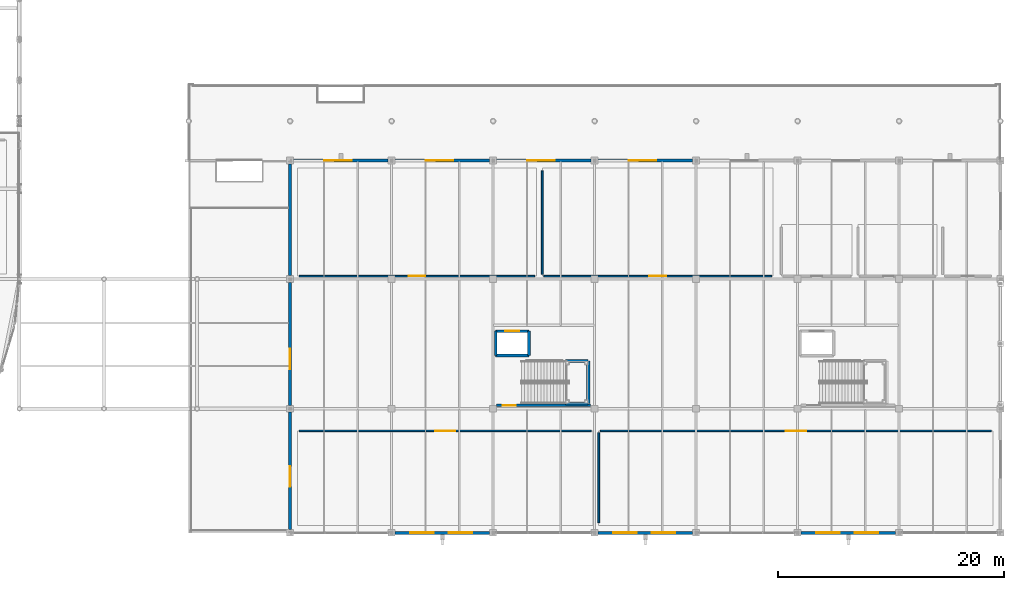
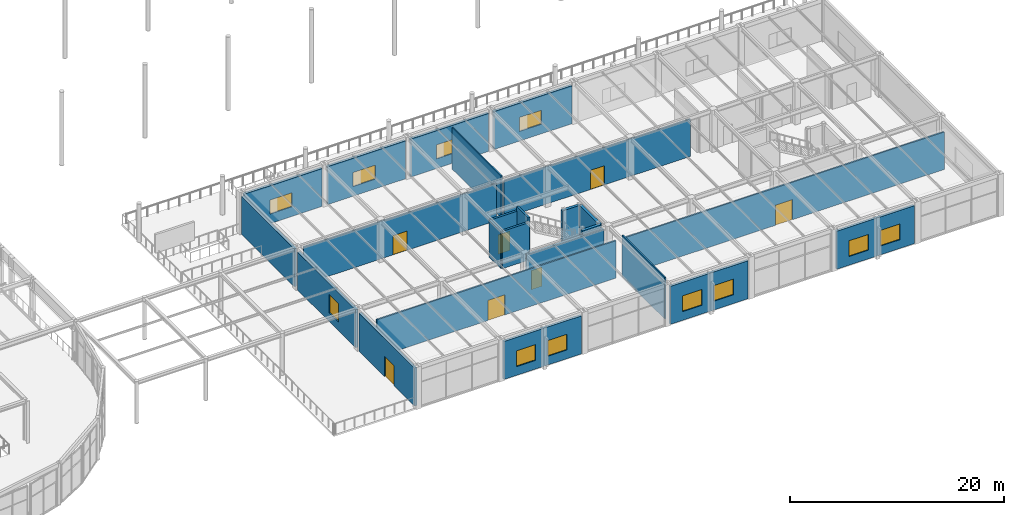
# One storey, part 87 of 143: 24 walls, 11 windows, 7 doors, 18 openings.
"""IFC4 building model written with IfcOpenShell, lengths in metres."""

from ifc_helpers import new_model, si_unit, direction, frame, frame_2d, origin, place, context, subcontext, project, spatial, rectangle, extrude, material, layer, layer_set, type_object, element, fill, save


model = new_model("IFC4")

# Units and contexts
model_context = context("Model", 3, precision=1e-05, world=origin(), true_north=direction((0.0, 1.0)))
body_context = subcontext(model_context, "Body", "Model", "MODEL_VIEW")
ifc_project = project(units=[si_unit("LENGTHUNIT", "METRE"), si_unit("AREAUNIT", "SQUARE_METRE"), si_unit("VOLUMEUNIT", "CUBIC_METRE"), si_unit("PLANEANGLEUNIT", "RADIAN"), si_unit("MASSUNIT", "GRAM", prefix="KILO")], contexts=[model_context])

# Site, building, storey
site_placement = place(None, origin())
site = spatial("IfcSite", under=ifc_project, at=site_placement, CompositionType="ELEMENT")
building_placement = place(site_placement, origin())
building = spatial("IfcBuilding", under=site, at=building_placement, Name="Marlcrest Central Station", CompositionType="ELEMENT")
storey_placement = place(building_placement, frame((0.0, 0.0, 4.800048828125)))
storey = spatial("IfcBuildingStorey", under=building, at=storey_placement, Name="L01", CompositionType="ELEMENT", Elevation=4.800048828125)

# Wall, opening, window
ifc_material_1 = material(Name="Precast concrete C40/50", Category="concrete")
ifc_layer_1 = layer(ifc_material_1, 0.260009765625, Name="EW-03")
ifc_layer_set_1 = layer_set([ifc_layer_1], Name="Precast concrete C40/50")
wall_type_1 = type_object("IfcWallType", Name="EW-03", PredefinedType="SOLIDWALL", material=ifc_layer_set_1)
wall_1_placement = place(storey_placement, frame((153.300048828125, 33.0, 0.0), z_axis=(0.0, 0.0, 1.0), x_axis=(1.0, 0.0, 0.0)))
wall_1 = element("IfcWall", 1, at=wall_1_placement, inside=storey, type_object=wall_type_1, Name="ewall-L01-0059", PredefinedType="SOLIDWALL", context=body_context, shape_type="SweptSolid", body=[
    extrude(rectangle(XDim=8.39990234375, YDim=0.260009765625, at=frame_2d((4.199951171875, 0.0))), origin(), (0.0, 0.0, 1.0), 4.349853515625),
])
opening_1_placement = place(wall_1_placement, frame((2.75, 0.0, 1.10009765625)))
opening_1 = element("IfcOpeningElement", 2, at=opening_1_placement, cuts=wall_1, Name="Opening WN-02", PredefinedType="OPENING", context=body_context, shape_type="SweptSolid", body=[
    extrude(rectangle(XDim=2.39990234375, YDim=1.60009765625, at=frame_2d((1.199951171875, 0.800048828125))), frame((0.0, 0.139892578125, 0.0), z_axis=(0.0, -1.0, 0.0), x_axis=(1.0, 0.0, 0.0)), (0.0, 0.0, 1.0), 0.280029296875),
])
ifc_material_2 = material(Name="Thermally broken bronze-anodised aluminium and laminated low-E glass", Category="aluminium")
window_type_1 = type_object("IfcWindowType", Name="WN-02", PartitioningType="SINGLE_PANEL", PredefinedType="WINDOW", material=ifc_material_2)
window_1_placement = place(opening_1_placement, origin())
window_1 = element("IfcWindow", 3, at=window_1_placement, inside=storey, type_object=window_type_1, Name="ewin-L01-0022", OverallHeight=1.60009765625, OverallWidth=2.39990234375, PartitioningType="SINGLE_PANEL", PredefinedType="WINDOW", context=body_context, shape_type="SweptSolid", body=[
    extrude(rectangle(XDim=2.39990234375, YDim=1.60009765625, at=frame_2d((1.199951171875, 0.800048828125))), frame((0.0, 0.030029296875, 0.0), z_axis=(0.0, -1.0, 0.0), x_axis=(1.0, 0.0, 0.0)), (0.0, 0.0, 1.0), 0.06005859375),
])
fill(opening_1, window_1)

# Wall, openings, windows
wall_2_placement = place(storey_placement, frame((170.699951171875, 0.0, 0.0), z_axis=(0.0, 0.0, 1.0), x_axis=(-1.0, 0.0, 0.0)))
wall_2 = element("IfcWall", 4, at=wall_2_placement, inside=storey, type_object=wall_type_1, Name="ewall-L01-0060", PredefinedType="SOLIDWALL", context=body_context, shape_type="SweptSolid", body=[
    extrude(rectangle(XDim=8.39990234375, YDim=0.260009765625, at=frame_2d((4.199951171875, 0.0))), origin(), (0.0, 0.0, 1.0), 4.349853515625),
])
opening_2_placement = place(wall_2_placement, frame((1.550048828125, 0.0, 1.0)))
opening_2 = element("IfcOpeningElement", 5, at=opening_2_placement, cuts=wall_2, Name="Opening WN-05", PredefinedType="OPENING", context=body_context, shape_type="SweptSolid", body=[
    extrude(rectangle(XDim=2.10009765625, YDim=1.800048828125, at=frame_2d((1.050048828125, 0.89990234375))), frame((0.0, 0.139892578125, 0.0), z_axis=(0.0, -1.0, 0.0), x_axis=(1.0, 0.0, 0.0)), (0.0, 0.0, 1.0), 0.280029296875),
])
opening_3_placement = place(wall_2_placement, frame((4.949951171875, 0.0, 1.0)))
opening_3 = element("IfcOpeningElement", 6, at=opening_3_placement, cuts=wall_2, Name="Opening WN-05", PredefinedType="OPENING", context=body_context, shape_type="SweptSolid", body=[
    extrude(rectangle(XDim=2.10009765625, YDim=1.800048828125, at=frame_2d((1.050048828125, 0.89990234375))), frame((0.0, 0.139892578125, 0.0), z_axis=(0.0, -1.0, 0.0), x_axis=(1.0, 0.0, 0.0)), (0.0, 0.0, 1.0), 0.280029296875),
])
window_type_2 = type_object("IfcWindowType", Name="WN-05", PartitioningType="SINGLE_PANEL", PredefinedType="WINDOW", material=ifc_material_2)
window_2_placement = place(opening_2_placement, origin())
window_2 = element("IfcWindow", 7, at=window_2_placement, inside=storey, type_object=window_type_2, Name="ewin-L01-0023", OverallHeight=1.800048828125, OverallWidth=2.10009765625, PartitioningType="SINGLE_PANEL", PredefinedType="WINDOW", context=body_context, shape_type="SweptSolid", body=[
    extrude(rectangle(XDim=2.10009765625, YDim=1.800048828125, at=frame_2d((1.050048828125, 0.89990234375))), frame((0.0, 0.030029296875, 0.0), z_axis=(0.0, -1.0, 0.0), x_axis=(1.0, 0.0, 0.0)), (0.0, 0.0, 1.0), 0.06005859375),
])
fill(opening_2, window_2)
window_3_placement = place(opening_3_placement, origin())
window_3 = element("IfcWindow", 8, at=window_3_placement, inside=storey, type_object=window_type_2, Name="ewin-L01-0024", OverallHeight=1.800048828125, OverallWidth=2.10009765625, PartitioningType="SINGLE_PANEL", PredefinedType="WINDOW", context=body_context, shape_type="SweptSolid", body=[
    extrude(rectangle(XDim=2.10009765625, YDim=1.800048828125, at=frame_2d((1.050048828125, 0.89990234375))), frame((0.0, 0.030029296875, 0.0), z_axis=(0.0, -1.0, 0.0), x_axis=(1.0, 0.0, 0.0)), (0.0, 0.0, 1.0), 0.06005859375),
])
fill(opening_3, window_3)

# Wall, opening, window
wall_3_placement = place(storey_placement, frame((162.300048828125, 33.0, 0.0), z_axis=(0.0, 0.0, 1.0), x_axis=(1.0, 0.0, 0.0)))
wall_3 = element("IfcWall", 9, at=wall_3_placement, inside=storey, type_object=wall_type_1, Name="ewall-L01-0061", PredefinedType="SOLIDWALL", context=body_context, shape_type="SweptSolid", body=[
    extrude(rectangle(XDim=8.39990234375, YDim=0.260009765625, at=frame_2d((4.199951171875, 0.0))), origin(), (0.0, 0.0, 1.0), 4.349853515625),
])
opening_4_placement = place(wall_3_placement, frame((2.75, 0.0, 1.10009765625)))
opening_4 = element("IfcOpeningElement", 10, at=opening_4_placement, cuts=wall_3, Name="Opening WN-02", PredefinedType="OPENING", context=body_context, shape_type="SweptSolid", body=[
    extrude(rectangle(XDim=2.39990234375, YDim=1.60009765625, at=frame_2d((1.199951171875, 0.800048828125))), frame((0.0, 0.139892578125, 0.0), z_axis=(0.0, -1.0, 0.0), x_axis=(1.0, 0.0, 0.0)), (0.0, 0.0, 1.0), 0.280029296875),
])
window_4_placement = place(opening_4_placement, origin())
window_4 = element("IfcWindow", 11, at=window_4_placement, inside=storey, type_object=window_type_1, Name="ewin-L01-0025", OverallHeight=1.60009765625, OverallWidth=2.39990234375, PartitioningType="SINGLE_PANEL", PredefinedType="WINDOW", context=body_context, shape_type="SweptSolid", body=[
    extrude(rectangle(XDim=2.39990234375, YDim=1.60009765625, at=frame_2d((1.199951171875, 0.800048828125))), frame((0.0, 0.030029296875, 0.0), z_axis=(0.0, -1.0, 0.0), x_axis=(1.0, 0.0, 0.0)), (0.0, 0.0, 1.0), 0.06005859375),
])
fill(opening_4, window_4)

wall_4_placement = place(storey_placement, frame((171.300048828125, 33.0, 0.0), z_axis=(0.0, 0.0, 1.0), x_axis=(1.0, 0.0, 0.0)))
wall_4 = element("IfcWall", 12, at=wall_4_placement, inside=storey, type_object=wall_type_1, Name="ewall-L01-0062", PredefinedType="SOLIDWALL", context=body_context, shape_type="SweptSolid", body=[
    extrude(rectangle(XDim=8.39990234375, YDim=0.260009765625, at=frame_2d((4.199951171875, 0.0))), origin(), (0.0, 0.0, 1.0), 4.349853515625),
])
opening_5_placement = place(wall_4_placement, frame((2.75, 0.0, 1.10009765625)))
opening_5 = element("IfcOpeningElement", 13, at=opening_5_placement, cuts=wall_4, Name="Opening WN-02", PredefinedType="OPENING", context=body_context, shape_type="SweptSolid", body=[
    extrude(rectangle(XDim=2.39990234375, YDim=1.60009765625, at=frame_2d((1.199951171875, 0.800048828125))), frame((0.0, 0.139892578125, 0.0), z_axis=(0.0, -1.0, 0.0), x_axis=(1.0, 0.0, 0.0)), (0.0, 0.0, 1.0), 0.280029296875),
])
window_5_placement = place(opening_5_placement, origin())
window_5 = element("IfcWindow", 14, at=window_5_placement, inside=storey, type_object=window_type_1, Name="ewin-L01-0026", OverallHeight=1.60009765625, OverallWidth=2.39990234375, PartitioningType="SINGLE_PANEL", PredefinedType="WINDOW", context=body_context, shape_type="SweptSolid", body=[
    extrude(rectangle(XDim=2.39990234375, YDim=1.60009765625, at=frame_2d((1.199951171875, 0.800048828125))), frame((0.0, 0.030029296875, 0.0), z_axis=(0.0, -1.0, 0.0), x_axis=(1.0, 0.0, 0.0)), (0.0, 0.0, 1.0), 0.06005859375),
])
fill(opening_5, window_5)

# Wall, openings, windows
wall_5_placement = place(storey_placement, frame((188.699951171875, 0.0, 0.0), z_axis=(0.0, 0.0, 1.0), x_axis=(-1.0, 0.0, 0.0)))
wall_5 = element("IfcWall", 15, at=wall_5_placement, inside=storey, type_object=wall_type_1, Name="ewall-L01-0063", PredefinedType="SOLIDWALL", context=body_context, shape_type="SweptSolid", body=[
    extrude(rectangle(XDim=8.39990234375, YDim=0.260009765625, at=frame_2d((4.199951171875, 0.0))), origin(), (0.0, 0.0, 1.0), 4.349853515625),
])
opening_6_placement = place(wall_5_placement, frame((1.550048828125, 0.0, 1.0)))
opening_6 = element("IfcOpeningElement", 16, at=opening_6_placement, cuts=wall_5, Name="Opening WN-05", PredefinedType="OPENING", context=body_context, shape_type="SweptSolid", body=[
    extrude(rectangle(XDim=2.10009765625, YDim=1.800048828125, at=frame_2d((1.050048828125, 0.89990234375))), frame((0.0, 0.139892578125, 0.0), z_axis=(0.0, -1.0, 0.0), x_axis=(1.0, 0.0, 0.0)), (0.0, 0.0, 1.0), 0.280029296875),
])
opening_7_placement = place(wall_5_placement, frame((4.949951171875, 0.0, 1.0)))
opening_7 = element("IfcOpeningElement", 17, at=opening_7_placement, cuts=wall_5, Name="Opening WN-05", PredefinedType="OPENING", context=body_context, shape_type="SweptSolid", body=[
    extrude(rectangle(XDim=2.10009765625, YDim=1.800048828125, at=frame_2d((1.050048828125, 0.89990234375))), frame((0.0, 0.139892578125, 0.0), z_axis=(0.0, -1.0, 0.0), x_axis=(1.0, 0.0, 0.0)), (0.0, 0.0, 1.0), 0.280029296875),
])
window_6_placement = place(opening_6_placement, origin())
window_6 = element("IfcWindow", 18, at=window_6_placement, inside=storey, type_object=window_type_2, Name="ewin-L01-0027", OverallHeight=1.800048828125, OverallWidth=2.10009765625, PartitioningType="SINGLE_PANEL", PredefinedType="WINDOW", context=body_context, shape_type="SweptSolid", body=[
    extrude(rectangle(XDim=2.10009765625, YDim=1.800048828125, at=frame_2d((1.050048828125, 0.89990234375))), frame((0.0, 0.030029296875, 0.0), z_axis=(0.0, -1.0, 0.0), x_axis=(1.0, 0.0, 0.0)), (0.0, 0.0, 1.0), 0.06005859375),
])
fill(opening_6, window_6)
window_7_placement = place(opening_7_placement, origin())
window_7 = element("IfcWindow", 19, at=window_7_placement, inside=storey, type_object=window_type_2, Name="ewin-L01-0028", OverallHeight=1.800048828125, OverallWidth=2.10009765625, PartitioningType="SINGLE_PANEL", PredefinedType="WINDOW", context=body_context, shape_type="SweptSolid", body=[
    extrude(rectangle(XDim=2.10009765625, YDim=1.800048828125, at=frame_2d((1.050048828125, 0.89990234375))), frame((0.0, 0.030029296875, 0.0), z_axis=(0.0, -1.0, 0.0), x_axis=(1.0, 0.0, 0.0)), (0.0, 0.0, 1.0), 0.06005859375),
])
fill(opening_7, window_7)

# Wall, opening, window
wall_6_placement = place(storey_placement, frame((180.300048828125, 33.0, 0.0), z_axis=(0.0, 0.0, 1.0), x_axis=(1.0, 0.0, 0.0)))
wall_6 = element("IfcWall", 20, at=wall_6_placement, inside=storey, type_object=wall_type_1, Name="ewall-L01-0064", PredefinedType="SOLIDWALL", context=body_context, shape_type="SweptSolid", body=[
    extrude(rectangle(XDim=8.39990234375, YDim=0.260009765625, at=frame_2d((4.199951171875, 0.0))), origin(), (0.0, 0.0, 1.0), 4.349853515625),
])
opening_8_placement = place(wall_6_placement, frame((2.75, 0.0, 1.10009765625)))
opening_8 = element("IfcOpeningElement", 21, at=opening_8_placement, cuts=wall_6, Name="Opening WN-02", PredefinedType="OPENING", context=body_context, shape_type="SweptSolid", body=[
    extrude(rectangle(XDim=2.39990234375, YDim=1.60009765625, at=frame_2d((1.199951171875, 0.800048828125))), frame((0.0, 0.139892578125, 0.0), z_axis=(0.0, -1.0, 0.0), x_axis=(1.0, 0.0, 0.0)), (0.0, 0.0, 1.0), 0.280029296875),
])
window_8_placement = place(opening_8_placement, origin())
window_8 = element("IfcWindow", 22, at=window_8_placement, inside=storey, type_object=window_type_1, Name="ewin-L01-0029", OverallHeight=1.60009765625, OverallWidth=2.39990234375, PartitioningType="SINGLE_PANEL", PredefinedType="WINDOW", context=body_context, shape_type="SweptSolid", body=[
    extrude(rectangle(XDim=2.39990234375, YDim=1.60009765625, at=frame_2d((1.199951171875, 0.800048828125))), frame((0.0, 0.030029296875, 0.0), z_axis=(0.0, -1.0, 0.0), x_axis=(1.0, 0.0, 0.0)), (0.0, 0.0, 1.0), 0.06005859375),
])
fill(opening_8, window_8)

# Wall, openings, windows
wall_7_placement = place(storey_placement, frame((206.699951171875, 0.0, 0.0), z_axis=(0.0, 0.0, 1.0), x_axis=(-1.0, 0.0, 0.0)))
wall_7 = element("IfcWall", 23, at=wall_7_placement, inside=storey, type_object=wall_type_1, Name="ewall-L01-0066", PredefinedType="SOLIDWALL", context=body_context, shape_type="SweptSolid", body=[
    extrude(rectangle(XDim=8.39990234375, YDim=0.260009765625, at=frame_2d((4.199951171875, 0.0))), origin(), (0.0, 0.0, 1.0), 4.349853515625),
])
opening_9_placement = place(wall_7_placement, frame((1.550048828125, 0.0, 1.0)))
opening_9 = element("IfcOpeningElement", 24, at=opening_9_placement, cuts=wall_7, Name="Opening WN-05", PredefinedType="OPENING", context=body_context, shape_type="SweptSolid", body=[
    extrude(rectangle(XDim=2.10009765625, YDim=1.800048828125, at=frame_2d((1.050048828125, 0.89990234375))), frame((0.0, 0.139892578125, 0.0), z_axis=(0.0, -1.0, 0.0), x_axis=(1.0, 0.0, 0.0)), (0.0, 0.0, 1.0), 0.280029296875),
])
opening_10_placement = place(wall_7_placement, frame((4.949951171875, 0.0, 1.0)))
opening_10 = element("IfcOpeningElement", 25, at=opening_10_placement, cuts=wall_7, Name="Opening WN-05", PredefinedType="OPENING", context=body_context, shape_type="SweptSolid", body=[
    extrude(rectangle(XDim=2.10009765625, YDim=1.800048828125, at=frame_2d((1.050048828125, 0.89990234375))), frame((0.0, 0.139892578125, 0.0), z_axis=(0.0, -1.0, 0.0), x_axis=(1.0, 0.0, 0.0)), (0.0, 0.0, 1.0), 0.280029296875),
])
window_9_placement = place(opening_9_placement, origin())
window_9 = element("IfcWindow", 26, at=window_9_placement, inside=storey, type_object=window_type_2, Name="ewin-L01-0031", OverallHeight=1.800048828125, OverallWidth=2.10009765625, PartitioningType="SINGLE_PANEL", PredefinedType="WINDOW", context=body_context, shape_type="SweptSolid", body=[
    extrude(rectangle(XDim=2.10009765625, YDim=1.800048828125, at=frame_2d((1.050048828125, 0.89990234375))), frame((0.0, 0.030029296875, 0.0), z_axis=(0.0, -1.0, 0.0), x_axis=(1.0, 0.0, 0.0)), (0.0, 0.0, 1.0), 0.06005859375),
])
fill(opening_9, window_9)
window_10_placement = place(opening_10_placement, origin())
window_10 = element("IfcWindow", 27, at=window_10_placement, inside=storey, type_object=window_type_2, Name="ewin-L01-0032", OverallHeight=1.800048828125, OverallWidth=2.10009765625, PartitioningType="SINGLE_PANEL", PredefinedType="WINDOW", context=body_context, shape_type="SweptSolid", body=[
    extrude(rectangle(XDim=2.10009765625, YDim=1.800048828125, at=frame_2d((1.050048828125, 0.89990234375))), frame((0.0, 0.030029296875, 0.0), z_axis=(0.0, -1.0, 0.0), x_axis=(1.0, 0.0, 0.0)), (0.0, 0.0, 1.0), 0.06005859375),
])
fill(opening_10, window_10)

# Wall, opening, door
wall_8_placement = place(storey_placement, frame((153.0, 0.300048828125, 0.0), z_axis=(0.0, 0.0, 1.0), x_axis=(0.0, 1.0, 0.0)))
wall_8 = element("IfcWall", 28, at=wall_8_placement, inside=storey, type_object=wall_type_1, Name="ewall-L01-0069", PredefinedType="SOLIDWALL", context=body_context, shape_type="SweptSolid", body=[
    extrude(rectangle(XDim=10.39990234375, YDim=0.260009765625, at=frame_2d((5.199951171875, 0.0))), origin(), (0.0, 0.0, 1.0), 4.349853515625),
])
opening_11_placement = place(wall_8_placement, frame((3.800048828125, 0.0, 0.0)))
opening_11 = element("IfcOpeningElement", 29, at=opening_11_placement, cuts=wall_8, Name="Opening ED-03", PredefinedType="OPENING", context=body_context, shape_type="SweptSolid", body=[
    extrude(rectangle(XDim=1.800048828125, YDim=2.300048828125, at=frame_2d((0.89990234375, 1.14990234375))), frame((0.0, 0.139892578125, 0.0), z_axis=(0.0, -1.0, 0.0), x_axis=(1.0, 0.0, 0.0)), (0.0, 0.0, 1.0), 0.280029296875),
])
ifc_material_3 = material(Name="Thermally broken anodised aluminium and laminated safety glass", Category="aluminium")
door_type_1 = type_object("IfcDoorType", Name="ED-03", OperationType="DOUBLE_DOOR_SINGLE_SWING", PredefinedType="DOOR", material=ifc_material_3)
door_1_placement = place(opening_11_placement, origin())
door_1 = element("IfcDoor", 30, at=door_1_placement, inside=storey, type_object=door_type_1, Name="Court Balcony Terrace Door 029", OperationType="DOUBLE_DOOR_SINGLE_SWING", OverallHeight=2.300048828125, OverallWidth=1.800048828125, PredefinedType="DOOR", context=body_context, shape_type="SweptSolid", body=[
    extrude(rectangle(XDim=1.800048828125, YDim=2.300048828125, at=frame_2d((0.89990234375, 1.14990234375))), frame((0.0, 0.02490234375, 0.0), z_axis=(0.0, -1.0, 0.0), x_axis=(1.0, 0.0, 0.0)), (0.0, 0.0, 1.0), 0.050048828125),
])
fill(opening_11, door_1)

# Wall, opening, window
wall_9_placement = place(storey_placement, frame((153.0, 11.300048828125, 0.0), z_axis=(0.0, 0.0, 1.0), x_axis=(0.0, 1.0, 0.0)))
wall_9 = element("IfcWall", 31, at=wall_9_placement, inside=storey, type_object=wall_type_1, Name="ewall-L01-0071", PredefinedType="SOLIDWALL", context=body_context, shape_type="SweptSolid", body=[
    extrude(rectangle(XDim=10.89990234375, YDim=0.260009765625, at=frame_2d((5.449951171875, 0.0))), origin(), (0.0, 0.0, 1.0), 4.349853515625),
])
opening_12_placement = place(wall_9_placement, frame((3.199951171875, 0.0, 1.0)))
opening_12 = element("IfcOpeningElement", 32, at=opening_12_placement, cuts=wall_9, Name="Opening WN-09", PredefinedType="OPENING", context=body_context, shape_type="SweptSolid", body=[
    extrude(rectangle(XDim=1.800048828125, YDim=2.10009765625, at=frame_2d((0.89990234375, 1.050048828125))), frame((0.0, 0.139892578125, 0.0), z_axis=(0.0, -1.0, 0.0), x_axis=(1.0, 0.0, 0.0)), (0.0, 0.0, 1.0), 0.280029296875),
])
window_type_3 = type_object("IfcWindowType", Name="WN-09", PartitioningType="SINGLE_PANEL", PredefinedType="WINDOW", material=ifc_material_2)
window_11_placement = place(opening_12_placement, origin())
window_11 = element("IfcWindow", 33, at=window_11_placement, inside=storey, type_object=window_type_3, Name="ewin-L01-0036", OverallHeight=2.10009765625, OverallWidth=1.800048828125, PartitioningType="SINGLE_PANEL", PredefinedType="WINDOW", context=body_context, shape_type="SweptSolid", body=[
    extrude(rectangle(XDim=1.800048828125, YDim=2.10009765625, at=frame_2d((0.89990234375, 1.050048828125))), frame((0.0, 0.030029296875, 0.0), z_axis=(0.0, -1.0, 0.0), x_axis=(1.0, 0.0, 0.0)), (0.0, 0.0, 1.0), 0.06005859375),
])
fill(opening_12, window_11)

# Wall
wall_10_placement = place(storey_placement, frame((153.0, 22.800048828125, 0.0), z_axis=(0.0, 0.0, 1.0), x_axis=(0.0, 1.0, 0.0)))
element("IfcWall", 34, at=wall_10_placement, inside=storey, type_object=wall_type_1, Name="ewall-L01-0073", PredefinedType="SOLIDWALL", context=body_context, shape_type="SweptSolid", body=[
    extrude(rectangle(XDim=9.89990234375, YDim=0.260009765625, at=frame_2d((4.949951171875, 0.0))), origin(), (0.0, 0.0, 1.0), 4.349853515625),
])

# Wall, opening, door
ifc_material_4 = material(Name="Acoustic double-stud partition")
ifc_layer_2 = layer(ifc_material_4, 0.139892578125, Name="PT-02")
ifc_layer_set_2 = layer_set([ifc_layer_2], Name="Acoustic double-stud partition")
wall_type_2 = type_object("IfcWallType", Name="PT-02", PredefinedType="PARTITIONING", material=ifc_layer_set_2)
wall_11_placement = place(storey_placement, frame((174.68994140625, 22.760009765625, 0.0), z_axis=(0.0, 0.0, 1.0), x_axis=(-1.0, 0.0, 0.0)))
wall_11 = element("IfcWall", 35, at=wall_11_placement, inside=storey, type_object=wall_type_2, Name="iwall-L01-00083", PredefinedType="PARTITIONING", context=body_context, shape_type="SweptSolid", body=[
    extrude(rectangle(XDim=20.8798828125, YDim=0.139892578125, at=frame_2d((10.43994140625, 0.0))), origin(), (0.0, 0.0, 1.0), 4.284912109375),
])
opening_13_placement = place(wall_11_placement, frame((9.68994140625, 0.0, 0.0)))
opening_13 = element("IfcOpeningElement", 36, at=opening_13_placement, cuts=wall_11, Name="Opening ID-05", PredefinedType="OPENING", context=body_context, shape_type="SweptSolid", body=[
    extrude(rectangle(XDim=1.5, YDim=2.199951171875, at=frame_2d((0.75, 1.10009765625))), frame((0.0, 0.079833984375, 0.0), z_axis=(0.0, -1.0, 0.0), x_axis=(1.0, 0.0, 0.0)), (0.0, 0.0, 1.0), 0.159912109375),
])
ifc_material_5 = material(Name="Double lounge and meeting door")
door_type_2 = type_object("IfcDoorType", Name="ID-05", OperationType="DOUBLE_DOOR_SINGLE_SWING", PredefinedType="DOOR", material=ifc_material_5)
door_2_placement = place(opening_13_placement, origin())
door_2 = element("IfcDoor", 37, at=door_2_placement, inside=storey, type_object=door_type_2, Name="L01-V4D 0050", OperationType="DOUBLE_DOOR_SINGLE_SWING", OverallHeight=2.199951171875, OverallWidth=1.5, PredefinedType="DOOR", context=body_context, shape_type="SweptSolid", body=[
    extrude(rectangle(XDim=1.5, YDim=2.199951171875, at=frame_2d((0.75, 1.10009765625))), frame((0.0, 0.02490234375, 0.0), z_axis=(0.0, -1.0, 0.0), x_axis=(1.0, 0.0, 0.0)), (0.0, 0.0, 1.0), 0.050048828125),
])
fill(opening_13, door_2)

wall_12_placement = place(storey_placement, frame((195.68994140625, 22.760009765625, 0.0), z_axis=(0.0, 0.0, 1.0), x_axis=(-1.0, 0.0, 0.0)))
wall_12 = element("IfcWall", 38, at=wall_12_placement, inside=storey, type_object=wall_type_2, Name="iwall-L01-00084", PredefinedType="PARTITIONING", context=body_context, shape_type="SweptSolid", body=[
    extrude(rectangle(XDim=20.179931640625, YDim=0.139892578125, at=frame_2d((10.08984375, 0.0))), origin(), (0.0, 0.0, 1.0), 4.284912109375),
])
opening_14_placement = place(wall_12_placement, frame((9.340087890625, 0.0, 0.0)))
opening_14 = element("IfcOpeningElement", 39, at=opening_14_placement, cuts=wall_12, Name="Opening ID-05", PredefinedType="OPENING", context=body_context, shape_type="SweptSolid", body=[
    extrude(rectangle(XDim=1.5, YDim=2.199951171875, at=frame_2d((0.75, 1.10009765625))), frame((0.0, 0.079833984375, 0.0), z_axis=(0.0, -1.0, 0.0), x_axis=(1.0, 0.0, 0.0)), (0.0, 0.0, 1.0), 0.159912109375),
])
door_3_placement = place(opening_14_placement, origin())
door_3 = element("IfcDoor", 40, at=door_3_placement, inside=storey, type_object=door_type_2, Name="L01-V4E 0051", OperationType="DOUBLE_DOOR_SINGLE_SWING", OverallHeight=2.199951171875, OverallWidth=1.5, PredefinedType="DOOR", context=body_context, shape_type="SweptSolid", body=[
    extrude(rectangle(XDim=1.5, YDim=2.199951171875, at=frame_2d((0.75, 1.10009765625))), frame((0.0, 0.02490234375, 0.0), z_axis=(0.0, -1.0, 0.0), x_axis=(1.0, 0.0, 0.0)), (0.0, 0.0, 1.0), 0.050048828125),
])
fill(opening_14, door_3)

# Wall
wall_13_placement = place(storey_placement, frame((175.360107421875, 22.909912109375, 0.0), z_axis=(0.0, 0.0, 1.0), x_axis=(0.0, 1.0, 0.0)))
element("IfcWall", 41, at=wall_13_placement, inside=storey, type_object=wall_type_2, Name="iwall-L01-00085", PredefinedType="PARTITIONING", context=body_context, shape_type="SweptSolid", body=[
    extrude(rectangle(XDim=9.18017578125, YDim=0.139892578125, at=frame_2d((4.590087890625, 0.0))), origin(), (0.0, 0.0, 1.0), 4.75),
])

# Wall, opening, door
ifc_material_6 = material(Name="Retail tenancy demising partition")
ifc_layer_3 = layer(ifc_material_6, 0.14990234375, Name="PT-05")
ifc_layer_set_3 = layer_set([ifc_layer_3], Name="Retail tenancy demising partition")
wall_type_3 = type_object("IfcWallType", Name="PT-05", PredefinedType="PARTITIONING", material=ifc_layer_set_3)
wall_14_placement = place(storey_placement, frame((153.81005859375, 9.0400390625, 0.0), z_axis=(0.0, 0.0, 1.0), x_axis=(1.0, 0.0, 0.0)))
wall_14 = element("IfcWall", 42, at=wall_14_placement, inside=storey, type_object=wall_type_3, Name="iwall-L01-00080", PredefinedType="PARTITIONING", context=body_context, shape_type="SweptSolid", body=[
    extrude(rectangle(XDim=25.8798828125, YDim=0.14990234375, at=frame_2d((12.93994140625, 0.0))), origin(), (0.0, 0.0, 1.0), 4.284912109375),
])
opening_15_placement = place(wall_14_placement, frame((12.0400390625, 0.0, 0.0)))
opening_15 = element("IfcOpeningElement", 43, at=opening_15_placement, cuts=wall_14, Name="Opening ID-06", PredefinedType="OPENING", context=body_context, shape_type="SweptSolid", body=[
    extrude(rectangle(XDim=1.800048828125, YDim=2.300048828125, at=frame_2d((0.89990234375, 1.14990234375))), frame((0.0, 0.0849609375, 0.0), z_axis=(0.0, -1.0, 0.0), x_axis=(1.0, 0.0, 0.0)), (0.0, 0.0, 1.0), 0.169921875),
])
ifc_material_7 = material(Name="Double retail and cafe entrance door")
door_type_3 = type_object("IfcDoorType", Name="ID-06", OperationType="DOUBLE_DOOR_SINGLE_SWING", PredefinedType="DOOR", material=ifc_material_7)
door_4_placement = place(opening_15_placement, origin())
door_4 = element("IfcDoor", 44, at=door_4_placement, inside=storey, type_object=door_type_3, Name="L01-V4A 0048", OperationType="DOUBLE_DOOR_SINGLE_SWING", OverallHeight=2.300048828125, OverallWidth=1.800048828125, PredefinedType="DOOR", context=body_context, shape_type="SweptSolid", body=[
    extrude(rectangle(XDim=1.800048828125, YDim=2.300048828125, at=frame_2d((0.89990234375, 1.14990234375))), frame((0.0, 0.02490234375, 0.0), z_axis=(0.0, -1.0, 0.0), x_axis=(1.0, 0.0, 0.0)), (0.0, 0.0, 1.0), 0.050048828125),
])
fill(opening_15, door_4)

wall_15_placement = place(storey_placement, frame((180.510009765625, 9.0400390625, 0.0), z_axis=(0.0, 0.0, 1.0), x_axis=(1.0, 0.0, 0.0)))
wall_15 = element("IfcWall", 45, at=wall_15_placement, inside=storey, type_object=wall_type_3, Name="iwall-L01-00081", PredefinedType="PARTITIONING", context=body_context, shape_type="SweptSolid", body=[
    extrude(rectangle(XDim=34.679931640625, YDim=0.14990234375, at=frame_2d((17.33984375, 0.0))), origin(), (0.0, 0.0, 1.0), 4.284912109375),
])
opening_16_placement = place(wall_15_placement, frame((16.43994140625, 0.0, 0.0)))
opening_16 = element("IfcOpeningElement", 46, at=opening_16_placement, cuts=wall_15, Name="Opening ID-06", PredefinedType="OPENING", context=body_context, shape_type="SweptSolid", body=[
    extrude(rectangle(XDim=1.800048828125, YDim=2.300048828125, at=frame_2d((0.89990234375, 1.14990234375))), frame((0.0, 0.0849609375, 0.0), z_axis=(0.0, -1.0, 0.0), x_axis=(1.0, 0.0, 0.0)), (0.0, 0.0, 1.0), 0.169921875),
])
door_5_placement = place(opening_16_placement, origin())
door_5 = element("IfcDoor", 47, at=door_5_placement, inside=storey, type_object=door_type_3, Name="L01-V4B 0049", OperationType="DOUBLE_DOOR_SINGLE_SWING", OverallHeight=2.300048828125, OverallWidth=1.800048828125, PredefinedType="DOOR", context=body_context, shape_type="SweptSolid", body=[
    extrude(rectangle(XDim=1.800048828125, YDim=2.300048828125, at=frame_2d((0.89990234375, 1.14990234375))), frame((0.0, 0.02490234375, 0.0), z_axis=(0.0, -1.0, 0.0), x_axis=(1.0, 0.0, 0.0)), (0.0, 0.0, 1.0), 0.050048828125),
])
fill(opening_16, door_5)

# Wall
wall_16_placement = place(storey_placement, frame((180.360107421875, 0.909912109375, 0.0), z_axis=(0.0, 0.0, 1.0), x_axis=(0.0, 1.0, 0.0)))
element("IfcWall", 48, at=wall_16_placement, inside=storey, type_object=wall_type_3, Name="iwall-L01-00082", PredefinedType="PARTITIONING", context=body_context, shape_type="SweptSolid", body=[
    extrude(rectangle(XDim=7.97998046875, YDim=0.14990234375, at=frame_2d((3.989990234375, 0.0))), origin(), (0.0, 0.0, 1.0), 4.75),
])

# Wall, opening, door
ifc_material_8 = material(Name="Concrete C40/50", Category="concrete")
ifc_layer_4 = layer(ifc_material_8, 0.22998046875, Name="SHW-01")
ifc_layer_set_4 = layer_set([ifc_layer_4], Name="Concrete C40/50")
wall_type_4 = type_object("IfcWallType", Name="SHW-01", PredefinedType="SOLIDWALL", material=ifc_layer_set_4)
wall_17_placement = place(storey_placement, frame((171.219970703125, 17.8798828125, 0.0), z_axis=(0.0, 0.0, 1.0), x_axis=(1.0, 0.0, 0.0)))
wall_17 = element("IfcWall", 49, at=wall_17_placement, inside=storey, type_object=wall_type_4, Name="iwall-L01-00319", PredefinedType="SOLIDWALL", context=body_context, shape_type="SweptSolid", body=[
    extrude(rectangle(XDim=2.9599609375, YDim=0.22998046875, at=frame_2d((1.47998046875, 0.0))), origin(), (0.0, 0.0, 1.0), 4.284912109375),
])
opening_17_placement = place(wall_17_placement, frame((0.85498046875, 0.0, 0.0)))
opening_17 = element("IfcOpeningElement", 50, at=opening_17_placement, cuts=wall_17, Name="Opening LD-02", PredefinedType="OPENING", context=body_context, shape_type="SweptSolid", body=[
    extrude(rectangle(XDim=1.25, YDim=2.199951171875, at=frame_2d((0.625, 1.10009765625))), frame((0.0, 0.125, 0.0), z_axis=(0.0, -1.0, 0.0), x_axis=(1.0, 0.0, 0.0)), (0.0, 0.0, 1.0), 0.25),
])
ifc_material_9 = material(Name="Stainless steel stretcher/firefighting lift landing door", Category="steel")
door_type_4 = type_object("IfcDoorType", Name="LD-02", OperationType="DOUBLE_DOOR_SLIDING", PredefinedType="DOOR", material=ifc_material_9)
door_6_placement = place(opening_17_placement, origin())
door_6 = element("IfcDoor", 51, at=door_6_placement, inside=storey, type_object=door_type_4, Name="LF-R1 Lift Landing Door 0150", OperationType="DOUBLE_DOOR_SLIDING", OverallHeight=2.199951171875, OverallWidth=1.25, PredefinedType="DOOR", context=body_context, shape_type="SweptSolid", body=[
    extrude(rectangle(XDim=1.25, YDim=2.199951171875, at=frame_2d((0.625, 1.10009765625))), frame((0.0, 0.02490234375, 0.0), z_axis=(0.0, -1.0, 0.0), x_axis=(1.0, 0.0, 0.0)), (0.0, 0.0, 1.0), 0.050048828125),
])
fill(opening_17, door_6)

# Walls
wall_18_placement = place(storey_placement, frame((174.179931640625, 15.719970703125, 0.0), z_axis=(0.0, 0.0, 1.0), x_axis=(-1.0, 0.0, 0.0)))
element("IfcWall", 52, at=wall_18_placement, inside=storey, type_object=wall_type_4, Name="iwall-L01-00320", PredefinedType="SOLIDWALL", context=body_context, shape_type="SweptSolid", body=[
    extrude(rectangle(XDim=2.9599609375, YDim=0.22998046875, at=frame_2d((1.47998046875, 0.0))), origin(), (0.0, 0.0, 1.0), 4.284912109375),
])
wall_19_placement = place(storey_placement, frame((171.219970703125, 15.719970703125, 0.0), z_axis=(0.0, 0.0, 1.0), x_axis=(0.0, 1.0, 0.0)))
element("IfcWall", 53, at=wall_19_placement, inside=storey, type_object=wall_type_4, Name="iwall-L01-00321", PredefinedType="SOLIDWALL", context=body_context, shape_type="SweptSolid", body=[
    extrude(rectangle(XDim=2.159912109375, YDim=0.22998046875, at=frame_2d((1.080078125, 0.0))), origin(), (0.0, 0.0, 1.0), 4.284912109375),
])
wall_20_placement = place(storey_placement, frame((174.179931640625, 17.8798828125, 0.0), z_axis=(0.0, 0.0, 1.0), x_axis=(0.0, -1.0, 0.0)))
element("IfcWall", 54, at=wall_20_placement, inside=storey, type_object=wall_type_4, Name="iwall-L01-00322", PredefinedType="SOLIDWALL", context=body_context, shape_type="SweptSolid", body=[
    extrude(rectangle(XDim=2.159912109375, YDim=0.22998046875, at=frame_2d((1.080078125, 0.0))), origin(), (0.0, 0.0, 1.0), 4.760009765625),
])

# Wall, opening, door
wall_21_placement = place(storey_placement, frame((171.300048828125, 11.300048828125, 0.0), z_axis=(0.0, 0.0, 1.0), x_axis=(1.0, 0.0, 0.0)))
wall_21 = element("IfcWall", 55, at=wall_21_placement, inside=storey, type_object=wall_type_4, Name="iwall-L01-00422", PredefinedType="SOLIDWALL", context=body_context, shape_type="SweptSolid", body=[
    extrude(rectangle(XDim=8.349853515625, YDim=0.22998046875, at=frame_2d((4.1748046875, 0.0))), origin(), (0.0, 0.0, 1.0), 4.284912109375),
])
opening_18_placement = place(wall_21_placement, frame((0.550048828125, 0.0, 0.0)))
opening_18 = element("IfcOpeningElement", 56, at=opening_18_placement, cuts=wall_21, Name="Opening FD-90", PredefinedType="OPENING", context=body_context, shape_type="SweptSolid", body=[
    extrude(rectangle(XDim=1.14990234375, YDim=2.199951171875, at=frame_2d((0.574951171875, 1.10009765625))), frame((0.0, 0.125, 0.0), z_axis=(0.0, -1.0, 0.0), x_axis=(1.0, 0.0, 0.0)), (0.0, 0.0, 1.0), 0.25),
])
ifc_material_10 = material(Name="90-minute stair and firefighting-lobby fire door")
door_type_5 = type_object("IfcDoorType", Name="FD-90", OperationType="NOTDEFINED", PredefinedType="DOOR", material=ifc_material_10)
door_7_placement = place(opening_18_placement, origin())
door_7 = element("IfcDoor", 57, at=door_7_placement, inside=storey, type_object=door_type_5, Name="ST-R11 Stair Enclosure Door 0179", OperationType="SINGLE_SWING_RIGHT", OverallHeight=2.199951171875, OverallWidth=1.14990234375, PredefinedType="DOOR", context=body_context, shape_type="SweptSolid", body=[
    extrude(rectangle(XDim=1.14990234375, YDim=2.199951171875, at=frame_2d((0.574951171875, 1.10009765625))), frame((0.0, 0.02490234375, 0.0), z_axis=(0.0, -1.0, 0.0), x_axis=(1.0, 0.0, 0.0)), (0.0, 0.0, 1.0), 0.050048828125),
])
fill(opening_18, door_7)

# Walls
ifc_material_11 = material(Name="Concrete C50/60", Category="concrete")
ifc_layer_5 = layer(ifc_material_11, 0.300048828125, Name="SW-02")
ifc_layer_set_5 = layer_set([ifc_layer_5], Name="Concrete C50/60")
wall_type_5 = type_object("IfcWallType", Name="SW-02", PredefinedType="SHEAR", material=ifc_layer_set_5)
wall_22_placement = place(storey_placement, frame((177.429931640625, 11.469970703125, 0.0), z_axis=(0.0, 0.0, 1.0), x_axis=(1.0, 0.0, 0.0)))
element("IfcWall", 58, at=wall_22_placement, inside=storey, type_object=wall_type_5, Name="htsw-0039-S", PredefinedType="SHEAR", context=body_context, shape_type="SweptSolid", body=[
    extrude(rectangle(XDim=2.0, YDim=0.300048828125, at=frame_2d((1.0, 0.0))), origin(), (0.0, 0.0, 1.0), 4.75),
])
wall_23_placement = place(storey_placement, frame((179.429931640625, 11.469970703125, 0.0), z_axis=(0.0, 0.0, 1.0), x_axis=(0.0, 1.0, 0.0)))
element("IfcWall", 59, at=wall_23_placement, inside=storey, type_object=wall_type_5, Name="htsw-0039-E", PredefinedType="SHEAR", context=body_context, shape_type="SweptSolid", body=[
    extrude(rectangle(XDim=3.760009765625, YDim=0.300048828125, at=frame_2d((1.8798828125, 0.0))), origin(), (0.0, 0.0, 1.0), 4.75),
])
wall_24_placement = place(storey_placement, frame((179.429931640625, 15.22998046875, 0.0), z_axis=(0.0, 0.0, 1.0), x_axis=(-1.0, 0.0, 0.0)))
element("IfcWall", 60, at=wall_24_placement, inside=storey, type_object=wall_type_5, Name="htsw-0039-N", PredefinedType="SHEAR", context=body_context, shape_type="SweptSolid", body=[
    extrude(rectangle(XDim=2.0, YDim=0.300048828125, at=frame_2d((1.0, 0.0))), origin(), (0.0, 0.0, 1.0), 4.75),
])

save(model, "model.ifc")
